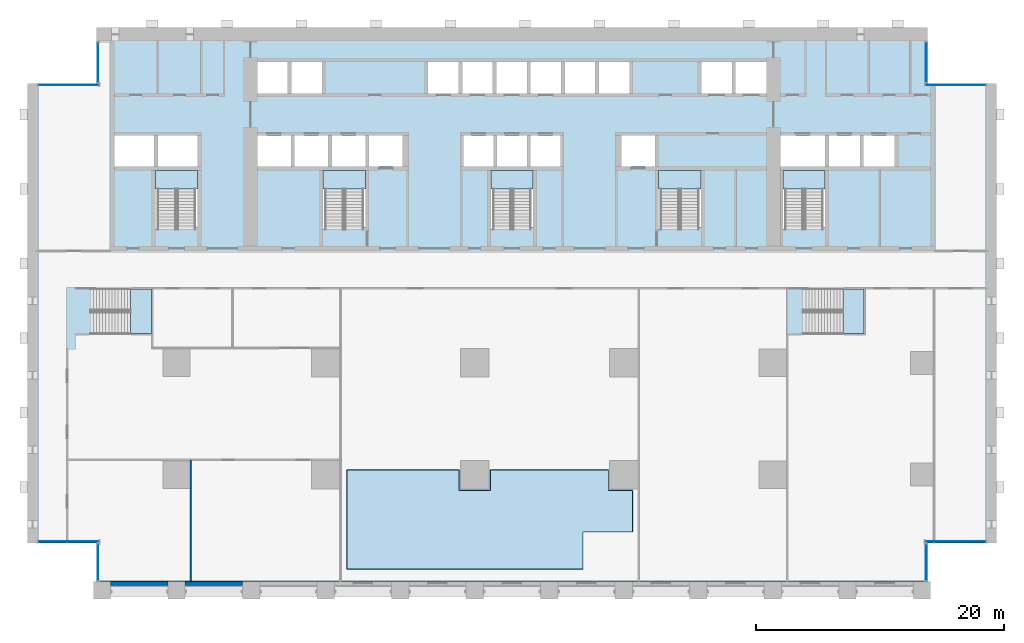
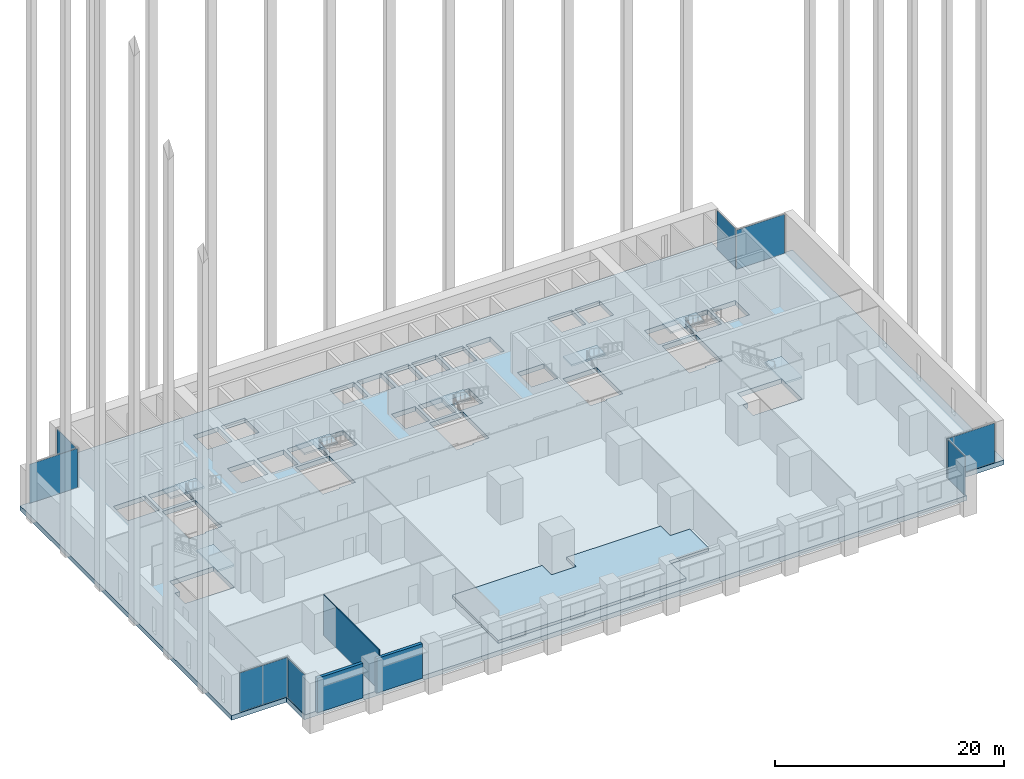
# One storey, part 6 of 17: 9 slabs, 8 plates, 3 walls, 15 elements without a shape of their own.
"""IFC4 building model written with IfcOpenShell, lengths in metres."""

from ifc_helpers import new_model, si_unit, direction, frame, frame_2d, origin, origin_2d, place, context, subcontext, project, spatial, polyline, rectangle, outline, extrude, material, layer, layer_set, type_object, element, aggregate, save


model = new_model("IFC4")

# Units and contexts
model_context = context("Model", 3, precision=1e-05, world=origin(), true_north=direction((0.0, 1.0)))
body_context = subcontext(model_context, "Body", "Model", "MODEL_VIEW")
ifc_project = project(units=[si_unit("LENGTHUNIT", "METRE"), si_unit("AREAUNIT", "SQUARE_METRE"), si_unit("VOLUMEUNIT", "CUBIC_METRE"), si_unit("PLANEANGLEUNIT", "RADIAN"), si_unit("MASSUNIT", "GRAM", prefix="KILO")], contexts=[model_context])

# Site, building, storey
site_placement = place(None, origin())
site = spatial("IfcSite", under=ifc_project, at=site_placement, CompositionType="ELEMENT")
building_placement = place(site_placement, origin())
building = spatial("IfcBuilding", under=site, at=building_placement, Name="Calvaro Tower", CompositionType="ELEMENT")
storey_placement = place(building_placement, frame((0.0, 0.0, 6.5)))
storey = spatial("IfcBuildingStorey", under=building, at=storey_placement, Name="L01", CompositionType="ELEMENT", Elevation=6.5)

# Slab
ifc_material_1 = material(Name="Concrete C40/50", Category="concrete")
ifc_layer_1 = layer(ifc_material_1, 0.5)
ifc_layer_set_1 = layer_set([ifc_layer_1], Name="Concrete C40/50")
slab_type_1 = type_object("IfcSlabType", Name="Floor slab 500 C40/50", PredefinedType="FLOOR", material=ifc_layer_set_1)
slab_1_placement = place(storey_placement, frame((0.0, 0.0, -0.5)))
element("IfcSlab", 1, at=slab_1_placement, inside=storey, type_object=slab_type_1, Name="Floor slab", PredefinedType="FLOOR", context=body_context, shape_type="SweptSolid", body=[
    extrude(outline(polyline([(72.449951171875, 4.5), (72.449951171875, 1.39990234375), (5.550048828125, 1.39990234375), (5.550048828125, 4.5), (0.0, 4.5), (0.0, 41.5), (5.550048828125, 41.5), (5.550048828125, 46.0), (72.449951171875, 46.0), (72.449951171875, 41.5), (78.0, 41.5), (78.0, 4.5), (72.449951171875, 4.5)]), holes=[polyline([(12.0, 29.760009765625), (10.300048828125, 29.760009765625), (10.300048828125, 34.5), (12.0, 34.5), (13.699951171875, 34.5), (13.699951171875, 29.909912109375), (12.0, 29.909912109375), (12.0, 29.760009765625)]), polyline([(25.5, 29.760009765625), (23.800048828125, 29.760009765625), (23.800048828125, 34.5), (25.5, 34.5), (27.199951171875, 34.5), (27.199951171875, 29.909912109375), (25.5, 29.909912109375), (25.5, 29.760009765625)]), polyline([(39.0, 29.760009765625), (37.300048828125, 29.760009765625), (37.300048828125, 34.5), (39.0, 34.5), (40.699951171875, 34.5), (40.699951171875, 29.909912109375), (39.0, 29.909912109375), (39.0, 29.760009765625)]), polyline([(52.5, 29.760009765625), (50.800048828125, 29.760009765625), (50.800048828125, 34.5), (52.5, 34.5), (54.199951171875, 34.5), (54.199951171875, 29.909912109375), (52.5, 29.909912109375), (52.5, 29.760009765625)]), polyline([(62.5, 29.760009765625), (60.800048828125, 29.760009765625), (60.800048828125, 34.5), (62.5, 34.5), (64.199951171875, 34.5), (64.199951171875, 29.909912109375), (62.5, 29.909912109375), (62.5, 29.760009765625)]), polyline([(18.5, 34.800048828125), (21.199951171875, 34.800048828125), (21.199951171875, 37.300048828125), (18.5, 37.300048828125), (18.5, 34.800048828125)]), polyline([(21.5, 34.800048828125), (24.199951171875, 34.800048828125), (24.199951171875, 37.300048828125), (21.5, 37.300048828125), (21.5, 34.800048828125)]), polyline([(24.5, 34.800048828125), (27.199951171875, 34.800048828125), (27.199951171875, 37.300048828125), (24.5, 37.300048828125), (24.5, 34.800048828125)]), polyline([(35.10009765625, 34.800048828125), (37.5, 34.800048828125), (37.5, 37.300048828125), (35.10009765625, 37.300048828125), (35.10009765625, 34.800048828125)]), polyline([(37.800048828125, 34.800048828125), (40.199951171875, 34.800048828125), (40.199951171875, 37.300048828125), (37.800048828125, 37.300048828125), (37.800048828125, 34.800048828125)]), polyline([(40.5, 34.800048828125), (42.89990234375, 34.800048828125), (42.89990234375, 37.300048828125), (40.5, 37.300048828125), (40.5, 34.800048828125)]), polyline([(18.5, 40.699951171875), (20.949951171875, 40.699951171875), (20.949951171875, 43.199951171875), (18.5, 43.199951171875), (18.5, 40.699951171875)]), polyline([(21.25, 40.699951171875), (23.699951171875, 40.699951171875), (23.699951171875, 43.199951171875), (21.25, 43.199951171875), (21.25, 40.699951171875)]), polyline([(32.25, 40.699951171875), (34.699951171875, 40.699951171875), (34.699951171875, 43.199951171875), (32.25, 43.199951171875), (32.25, 40.699951171875)]), polyline([(35.0, 40.699951171875), (37.449951171875, 40.699951171875), (37.449951171875, 43.199951171875), (35.0, 43.199951171875), (35.0, 40.699951171875)]), polyline([(37.75, 40.699951171875), (40.199951171875, 40.699951171875), (40.199951171875, 43.199951171875), (37.75, 43.199951171875), (37.75, 40.699951171875)]), polyline([(40.5, 40.699951171875), (42.949951171875, 40.699951171875), (42.949951171875, 43.199951171875), (40.5, 43.199951171875), (40.5, 40.699951171875)]), polyline([(43.25, 40.699951171875), (45.699951171875, 40.699951171875), (45.699951171875, 43.199951171875), (43.25, 43.199951171875), (43.25, 40.699951171875)]), polyline([(46.0, 40.699951171875), (48.449951171875, 40.699951171875), (48.449951171875, 43.199951171875), (46.0, 43.199951171875), (46.0, 40.699951171875)]), polyline([(54.25, 40.699951171875), (56.699951171875, 40.699951171875), (56.699951171875, 43.199951171875), (54.25, 43.199951171875), (54.25, 40.699951171875)]), polyline([(57.0, 40.699951171875), (59.5, 40.699951171875), (59.5, 43.199951171875), (57.0, 43.199951171875), (57.0, 40.699951171875)]), polyline([(7.0, 34.800048828125), (10.199951171875, 34.800048828125), (10.199951171875, 37.300048828125), (7.0, 37.300048828125), (7.0, 34.800048828125)]), polyline([(10.5, 34.800048828125), (13.699951171875, 34.800048828125), (13.699951171875, 37.300048828125), (10.5, 37.300048828125), (10.5, 34.800048828125)]), polyline([(60.60009765625, 34.800048828125), (64.199951171875, 34.800048828125), (64.199951171875, 37.300048828125), (60.60009765625, 37.300048828125), (60.60009765625, 34.800048828125)]), polyline([(64.5, 34.800048828125), (67.0, 34.800048828125), (67.0, 37.300048828125), (64.5, 37.300048828125), (64.5, 34.800048828125)]), polyline([(67.300048828125, 34.800048828125), (69.800048828125, 34.800048828125), (69.800048828125, 37.300048828125), (67.300048828125, 37.300048828125), (67.300048828125, 34.800048828125)]), polyline([(27.5, 34.800048828125), (30.199951171875, 34.800048828125), (30.199951171875, 37.300048828125), (27.5, 37.300048828125), (27.5, 34.800048828125)]), polyline([(47.800048828125, 34.800048828125), (50.5, 34.800048828125), (50.5, 37.300048828125), (47.800048828125, 37.300048828125), (47.800048828125, 34.800048828125)]), polyline([(5.06005859375, 23.14990234375), (5.06005859375, 21.35009765625), (10.0, 21.35009765625), (10.0, 23.14990234375), (10.0, 24.949951171875), (5.56005859375, 24.949951171875), (5.56005859375, 23.14990234375), (5.06005859375, 23.14990234375)]), polyline([(62.409912109375, 23.14990234375), (62.409912109375, 21.35009765625), (67.35009765625, 21.35009765625), (67.35009765625, 23.14990234375), (67.35009765625, 24.949951171875), (62.909912109375, 24.949951171875), (62.909912109375, 23.14990234375), (62.409912109375, 23.14990234375)])]), origin(), (0.0, 0.0, 1.0), 0.5),
])

# Curtain wall, plate
ifc_material_2 = material(Name="Anodised aluminium", Category="aluminium")
curtain_wall_type = type_object("IfcCurtainWallType", Name="Restaurant curtain wall", PredefinedType="NOTDEFINED", material=ifc_material_2)
curtain_wall_1_placement = place(storey_placement, origin())
curtain_wall_1 = element("IfcCurtainWall", 2, at=curtain_wall_1_placement, inside=storey, type_object=curtain_wall_type, Name="CW5 corner curtain wall", PredefinedType="NOTDEFINED")
ifc_material_3 = material(Name="Glass", Category="glass")
ifc_layer_2 = layer(ifc_material_3, 0.0439453125)
ifc_layer_set_2 = layer_set([ifc_layer_2], Name="Glass")
plate_type = type_object("IfcPlateType", Name="Glass panel PR 44", PredefinedType="CURTAIN_PANEL", material=ifc_layer_set_2)
plate_1_placement = place(storey_placement, frame((5.675048828125, 2.949951171875, 0.0), z_axis=(0.0, 0.0, 1.0), x_axis=(0.0, 1.0, 0.0)))
plate_1 = element("IfcPlate", 3, at=plate_1_placement, type_object=plate_type, Name="CW5 glass panel 1.1", PredefinedType="CURTAIN_PANEL", context=body_context, shape_type="SweptSolid", body=[
    extrude(rectangle(XDim=2.93994140625, YDim=0.0439453125, at=origin_2d()), origin(), (0.0, 0.0, 1.0), 4.179931640625),
])
aggregate(curtain_wall_1, [plate_1])

curtain_wall_2_placement = place(storey_placement, origin())
curtain_wall_2 = element("IfcCurtainWall", 4, at=curtain_wall_2_placement, inside=storey, type_object=curtain_wall_type, Name="CW5 corner curtain wall", PredefinedType="NOTDEFINED")
plate_2_placement = place(storey_placement, frame((3.300048828125, 4.625, 0.0), z_axis=(0.0, 0.0, 1.0), x_axis=(1.0, 0.0, 0.0)))
plate_2 = element("IfcPlate", 5, at=plate_2_placement, type_object=plate_type, Name="CW5 glass panel 1.1", PredefinedType="CURTAIN_PANEL", context=body_context, shape_type="SweptSolid", body=[
    extrude(rectangle(XDim=4.840087890625, YDim=0.0439453125, at=origin_2d()), origin(), (0.0, 0.0, 1.0), 4.179931640625),
])
aggregate(curtain_wall_2, [plate_2])

curtain_wall_3_placement = place(storey_placement, origin())
curtain_wall_3 = element("IfcCurtainWall", 6, at=curtain_wall_3_placement, inside=storey, type_object=curtain_wall_type, Name="CW5 corner curtain wall", PredefinedType="NOTDEFINED")
plate_3_placement = place(storey_placement, frame((5.675048828125, 43.199951171875, 0.0), z_axis=(0.0, 0.0, 1.0), x_axis=(0.0, 1.0, 0.0)))
plate_3 = element("IfcPlate", 7, at=plate_3_placement, type_object=plate_type, Name="CW5 glass panel 1.1", PredefinedType="CURTAIN_PANEL", context=body_context, shape_type="SweptSolid", body=[
    extrude(rectangle(XDim=3.239990234375, YDim=0.0439453125, at=origin_2d()), origin(), (0.0, 0.0, 1.0), 4.179931640625),
])
aggregate(curtain_wall_3, [plate_3])

curtain_wall_4_placement = place(storey_placement, origin())
curtain_wall_4 = element("IfcCurtainWall", 8, at=curtain_wall_4_placement, inside=storey, type_object=curtain_wall_type, Name="CW5 corner curtain wall", PredefinedType="NOTDEFINED")
plate_4_placement = place(storey_placement, frame((3.300048828125, 41.375, 0.0), z_axis=(0.0, 0.0, 1.0), x_axis=(1.0, 0.0, 0.0)))
plate_4 = element("IfcPlate", 9, at=plate_4_placement, type_object=plate_type, Name="CW5 glass panel 1.1", PredefinedType="CURTAIN_PANEL", context=body_context, shape_type="SweptSolid", body=[
    extrude(rectangle(XDim=4.840087890625, YDim=0.0439453125, at=origin_2d()), origin(), (0.0, 0.0, 1.0), 4.179931640625),
])
aggregate(curtain_wall_4, [plate_4])

curtain_wall_5_placement = place(storey_placement, origin())
curtain_wall_5 = element("IfcCurtainWall", 10, at=curtain_wall_5_placement, inside=storey, type_object=curtain_wall_type, Name="CW5 corner curtain wall", PredefinedType="NOTDEFINED")
plate_5_placement = place(storey_placement, frame((72.324951171875, 2.949951171875, 0.0), z_axis=(0.0, 0.0, 1.0), x_axis=(0.0, 1.0, 0.0)))
plate_5 = element("IfcPlate", 11, at=plate_5_placement, type_object=plate_type, Name="CW5 glass panel 1.1", PredefinedType="CURTAIN_PANEL", context=body_context, shape_type="SweptSolid", body=[
    extrude(rectangle(XDim=2.93994140625, YDim=0.0439453125, at=origin_2d()), origin(), (0.0, 0.0, 1.0), 4.179931640625),
])
aggregate(curtain_wall_5, [plate_5])

curtain_wall_6_placement = place(storey_placement, origin())
curtain_wall_6 = element("IfcCurtainWall", 12, at=curtain_wall_6_placement, inside=storey, type_object=curtain_wall_type, Name="CW5 corner curtain wall", PredefinedType="NOTDEFINED")
plate_6_placement = place(storey_placement, frame((74.699951171875, 4.625, 0.0), z_axis=(0.0, 0.0, 1.0), x_axis=(1.0, 0.0, 0.0)))
plate_6 = element("IfcPlate", 13, at=plate_6_placement, type_object=plate_type, Name="CW5 glass panel 1.1", PredefinedType="CURTAIN_PANEL", context=body_context, shape_type="SweptSolid", body=[
    extrude(rectangle(XDim=4.840087890625, YDim=0.0439453125, at=origin_2d()), origin(), (0.0, 0.0, 1.0), 4.179931640625),
])
aggregate(curtain_wall_6, [plate_6])

curtain_wall_7_placement = place(storey_placement, origin())
curtain_wall_7 = element("IfcCurtainWall", 14, at=curtain_wall_7_placement, inside=storey, type_object=curtain_wall_type, Name="CW5 corner curtain wall", PredefinedType="NOTDEFINED")
plate_7_placement = place(storey_placement, frame((72.324951171875, 43.199951171875, 0.0), z_axis=(0.0, 0.0, 1.0), x_axis=(0.0, 1.0, 0.0)))
plate_7 = element("IfcPlate", 15, at=plate_7_placement, type_object=plate_type, Name="CW5 glass panel 1.1", PredefinedType="CURTAIN_PANEL", context=body_context, shape_type="SweptSolid", body=[
    extrude(rectangle(XDim=3.239990234375, YDim=0.0439453125, at=origin_2d()), origin(), (0.0, 0.0, 1.0), 4.179931640625),
])
aggregate(curtain_wall_7, [plate_7])

curtain_wall_8_placement = place(storey_placement, origin())
curtain_wall_8 = element("IfcCurtainWall", 16, at=curtain_wall_8_placement, inside=storey, type_object=curtain_wall_type, Name="CW5 corner curtain wall", PredefinedType="NOTDEFINED")
plate_8_placement = place(storey_placement, frame((74.699951171875, 41.375, 0.0), z_axis=(0.0, 0.0, 1.0), x_axis=(1.0, 0.0, 0.0)))
plate_8 = element("IfcPlate", 17, at=plate_8_placement, type_object=plate_type, Name="CW5 glass panel 1.1", PredefinedType="CURTAIN_PANEL", context=body_context, shape_type="SweptSolid", body=[
    extrude(rectangle(XDim=4.840087890625, YDim=0.0439453125, at=origin_2d()), origin(), (0.0, 0.0, 1.0), 4.179931640625),
])
aggregate(curtain_wall_8, [plate_8])

# Slab
ifc_material_4 = material(Name="Concrete C32/40", Category="concrete")
ifc_layer_3 = layer(ifc_material_4, 0.300048828125)
ifc_layer_set_3 = layer_set([ifc_layer_3], Name="Concrete C32/40")
slab_type_2 = type_object("IfcSlabType", Name="Raised floor slab", PredefinedType="FLOOR", material=ifc_layer_set_3)
slab_2_placement = place(storey_placement, origin())
element("IfcSlab", 18, at=slab_2_placement, inside=storey, type_object=slab_type_2, Name="Raised dining area", PredefinedType="FLOOR", context=body_context, shape_type="SweptSolid", body=[
    extrude(outline(polyline([(25.699951171875, 10.39990234375), (34.75, 10.39990234375), (34.75, 8.75), (37.25, 8.75), (37.25, 10.39990234375), (46.75, 10.39990234375), (46.75, 8.75), (48.699951171875, 8.75), (48.699951171875, 5.39990234375), (44.699951171875, 5.39990234375), (44.699951171875, 2.39990234375), (25.699951171875, 2.39990234375), (25.699951171875, 10.39990234375)])), origin(), (0.0, 0.0, 1.0), 0.300048828125),
])

# Stair, slab
ifc_material_5 = material(Name="Concrete C40/50", Category="concrete")
stair_type_1 = type_object("IfcStairType", Name="Exit stair 1400 2 flights", PredefinedType="HALF_TURN_STAIR", material=ifc_material_5)
stair_1_placement = place(storey_placement, origin())
stair_1 = element("IfcStair", 19, at=stair_1_placement, inside=storey, type_object=stair_type_1, Name="Exit stair S1", PredefinedType="HALF_TURN_STAIR")
ifc_material_6 = material(Name="Concrete C40/50", Category="concrete")
ifc_layer_4 = layer(ifc_material_6, 0.199951171875)
ifc_layer_set_4 = layer_set([ifc_layer_4], Name="Concrete C40/50")
slab_type_3 = type_object("IfcSlabType", Name="Stair landing", PredefinedType="LANDING", material=ifc_layer_set_4)
slab_3_placement = place(storey_placement, frame((0.0, 0.0, 2.199951171875)))
slab_3 = element("IfcSlab", 20, at=slab_3_placement, type_object=slab_type_3, Name="Exit stair 1, landing 1", PredefinedType="LANDING", context=body_context, shape_type="SweptSolid", body=[
    extrude(outline(polyline([(11.89990234375, 32.989990234375), (10.5, 32.989990234375), (10.5, 33.0), (10.300048828125, 33.0), (10.300048828125, 34.5), (10.5, 34.5), (11.89990234375, 34.5), (12.10009765625, 34.5), (13.5, 34.5), (13.699951171875, 34.5), (13.699951171875, 33.0), (13.5, 33.0), (13.5, 32.989990234375), (12.10009765625, 32.989990234375), (12.10009765625, 33.0), (11.89990234375, 33.0), (11.89990234375, 32.989990234375)])), origin(), (0.0, 0.0, 1.0), 0.199951171875),
])
aggregate(stair_1, [slab_3])

stair_2_placement = place(storey_placement, origin())
stair_2 = element("IfcStair", 21, at=stair_2_placement, inside=storey, type_object=stair_type_1, Name="Exit stair S2", PredefinedType="HALF_TURN_STAIR")
slab_4_placement = place(storey_placement, frame((0.0, 0.0, 2.199951171875)))
slab_4 = element("IfcSlab", 22, at=slab_4_placement, type_object=slab_type_3, Name="Exit stair 2, landing 1", PredefinedType="LANDING", context=body_context, shape_type="SweptSolid", body=[
    extrude(outline(polyline([(25.39990234375, 32.989990234375), (24.0, 32.989990234375), (24.0, 33.0), (23.800048828125, 33.0), (23.800048828125, 34.5), (24.0, 34.5), (25.39990234375, 34.5), (25.60009765625, 34.5), (27.0, 34.5), (27.199951171875, 34.5), (27.199951171875, 33.0), (27.0, 33.0), (27.0, 32.989990234375), (25.60009765625, 32.989990234375), (25.60009765625, 33.0), (25.39990234375, 33.0), (25.39990234375, 32.989990234375)])), origin(), (0.0, 0.0, 1.0), 0.199951171875),
])
aggregate(stair_2, [slab_4])

stair_3_placement = place(storey_placement, origin())
stair_3 = element("IfcStair", 23, at=stair_3_placement, inside=storey, type_object=stair_type_1, Name="Exit stair S3", PredefinedType="HALF_TURN_STAIR")
slab_5_placement = place(storey_placement, frame((0.0, 0.0, 2.199951171875)))
slab_5 = element("IfcSlab", 24, at=slab_5_placement, type_object=slab_type_3, Name="Exit stair 3, landing 1", PredefinedType="LANDING", context=body_context, shape_type="SweptSolid", body=[
    extrude(outline(polyline([(38.89990234375, 32.989990234375), (37.5, 32.989990234375), (37.5, 33.0), (37.300048828125, 33.0), (37.300048828125, 34.5), (37.5, 34.5), (38.89990234375, 34.5), (39.10009765625, 34.5), (40.5, 34.5), (40.699951171875, 34.5), (40.699951171875, 33.0), (40.5, 33.0), (40.5, 32.989990234375), (39.10009765625, 32.989990234375), (39.10009765625, 33.0), (38.89990234375, 33.0), (38.89990234375, 32.989990234375)])), origin(), (0.0, 0.0, 1.0), 0.199951171875),
])
aggregate(stair_3, [slab_5])

stair_4_placement = place(storey_placement, origin())
stair_4 = element("IfcStair", 25, at=stair_4_placement, inside=storey, type_object=stair_type_1, Name="Exit stair S4", PredefinedType="HALF_TURN_STAIR")
slab_6_placement = place(storey_placement, frame((0.0, 0.0, 2.199951171875)))
slab_6 = element("IfcSlab", 26, at=slab_6_placement, type_object=slab_type_3, Name="Exit stair 4, landing 1", PredefinedType="LANDING", context=body_context, shape_type="SweptSolid", body=[
    extrude(outline(polyline([(52.39990234375, 32.989990234375), (51.0, 32.989990234375), (51.0, 33.0), (50.800048828125, 33.0), (50.800048828125, 34.5), (51.0, 34.5), (52.39990234375, 34.5), (52.60009765625, 34.5), (54.0, 34.5), (54.199951171875, 34.5), (54.199951171875, 33.0), (54.0, 33.0), (54.0, 32.989990234375), (52.60009765625, 32.989990234375), (52.60009765625, 33.0), (52.39990234375, 33.0), (52.39990234375, 32.989990234375)])), origin(), (0.0, 0.0, 1.0), 0.199951171875),
])
aggregate(stair_4, [slab_6])

stair_5_placement = place(storey_placement, origin())
stair_5 = element("IfcStair", 27, at=stair_5_placement, inside=storey, type_object=stair_type_1, Name="Exit stair S5", PredefinedType="HALF_TURN_STAIR")
slab_7_placement = place(storey_placement, frame((0.0, 0.0, 2.199951171875)))
slab_7 = element("IfcSlab", 28, at=slab_7_placement, type_object=slab_type_3, Name="Exit stair 5, landing 1", PredefinedType="LANDING", context=body_context, shape_type="SweptSolid", body=[
    extrude(outline(polyline([(62.39990234375, 32.989990234375), (61.0, 32.989990234375), (61.0, 33.0), (60.800048828125, 33.0), (60.800048828125, 34.5), (61.0, 34.5), (62.39990234375, 34.5), (62.60009765625, 34.5), (64.0, 34.5), (64.199951171875, 34.5), (64.199951171875, 33.0), (64.0, 33.0), (64.0, 32.989990234375), (62.60009765625, 32.989990234375), (62.60009765625, 33.0), (62.39990234375, 33.0), (62.39990234375, 32.989990234375)])), origin(), (0.0, 0.0, 1.0), 0.199951171875),
])
aggregate(stair_5, [slab_7])

ifc_material_7 = material(Name="Concrete C40/50", Category="concrete")
stair_type_2 = type_object("IfcStairType", Name="Exit stair 1700 2 flights", PredefinedType="HALF_TURN_STAIR", material=ifc_material_7)
stair_6_placement = place(storey_placement, origin())
stair_6 = element("IfcStair", 29, at=stair_6_placement, inside=storey, type_object=stair_type_2, Name="Exit stair 6", PredefinedType="HALF_TURN_STAIR")
slab_8_placement = place(storey_placement, frame((0.0, 0.0, 2.199951171875)))
slab_8 = element("IfcSlab", 30, at=slab_8_placement, type_object=slab_type_3, Name="Exit stair 6, landing 1", PredefinedType="LANDING", context=body_context, shape_type="SweptSolid", body=[
    extrude(outline(polyline([(8.300048828125, 23.050048828125), (8.300048828125, 23.25), (8.2900390625, 23.25), (8.2900390625, 24.949951171875), (10.0, 24.949951171875), (10.0, 24.949951171875), (10.0, 23.25), (10.0, 23.050048828125), (10.0, 21.35009765625), (10.0, 21.35009765625), (8.2900390625, 21.35009765625), (8.2900390625, 23.050048828125), (8.300048828125, 23.050048828125)])), origin(), (0.0, 0.0, 1.0), 0.199951171875),
])
aggregate(stair_6, [slab_8])

stair_7_placement = place(storey_placement, origin())
stair_7 = element("IfcStair", 31, at=stair_7_placement, inside=storey, type_object=stair_type_2, Name="Exit stair 7", PredefinedType="HALF_TURN_STAIR")
slab_9_placement = place(storey_placement, frame((0.0, 0.0, 2.199951171875)))
slab_9 = element("IfcSlab", 32, at=slab_9_placement, type_object=slab_type_3, Name="Exit stair 7, landing 1", PredefinedType="LANDING", context=body_context, shape_type="SweptSolid", body=[
    extrude(outline(polyline([(65.64990234375, 23.050048828125), (65.64990234375, 23.25), (65.639892578125, 23.25), (65.639892578125, 24.949951171875), (67.35009765625, 24.949951171875), (67.35009765625, 24.949951171875), (67.35009765625, 23.25), (67.35009765625, 23.050048828125), (67.35009765625, 21.35009765625), (67.35009765625, 21.35009765625), (65.639892578125, 21.35009765625), (65.639892578125, 23.050048828125), (65.64990234375, 23.050048828125)])), origin(), (0.0, 0.0, 1.0), 0.199951171875),
])
aggregate(stair_7, [slab_9])

# Walls
ifc_material_8 = material(Name="Plasterboard on steel studs", Category="steel")
ifc_layer_5 = layer(ifc_material_8, 0.10009765625)
ifc_layer_set_5 = layer_set([ifc_layer_5], Name="Plasterboard on steel studs")
wall_type_1 = type_object("IfcWallType", Name="Partition 100 EI 60", PredefinedType="PARTITIONING", material=ifc_layer_set_5)
wall_placement = place(storey_placement, frame((13.14990234375, 1.39990234375, 0.0), z_axis=(0.0, 0.0, 1.0), x_axis=(0.0, 1.0, 0.0)))
element("IfcWall", 33, at=wall_placement, inside=storey, type_object=wall_type_1, Name="Partition T04.W014", PredefinedType="PARTITIONING", context=body_context, shape_type="SweptSolid", body=[
    extrude(rectangle(XDim=9.75, YDim=0.10009765625, at=frame_2d((4.875, 0.0))), origin(), (0.0, 0.0, 1.0), 4.300048828125),
])
ifc_material_9 = material(Name="Stone faced masonry", Category="masonry")
ifc_layer_6 = layer(ifc_material_9, 0.300048828125)
ifc_layer_set_6 = layer_set([ifc_layer_6], Name="Stone faced masonry")
wall_type_2 = type_object("IfcWallType", Name="Stone faced wall 300", PredefinedType="SOLIDWALL", material=ifc_layer_set_6)
for number, where, z_axis, x_axis, name in (
    (34, (6.699951171875, 1.25, 0.0), (0.0, 0.0, 1.0), (1.0, 0.0, 0.0), "Stone faced wall"),
    (35, (12.699951171875, 1.25, 0.0), (0.0, 0.0, 1.0), (1.0, 0.0, 0.0), "Stone faced wall"),
):
    element("IfcWall", number, at=place(storey_placement, frame(where, z_axis=z_axis, x_axis=x_axis)), inside=storey, type_object=wall_type_2, Name=name, PredefinedType="SOLIDWALL", context=body_context, shape_type="SweptSolid", body=[
        extrude(rectangle(XDim=4.60009765625, YDim=0.300048828125, at=frame_2d((2.300048828125, 0.0))), origin(), (0.0, 0.0, 1.0), 3.699951171875),
    ])

save(model, "model.ifc")
